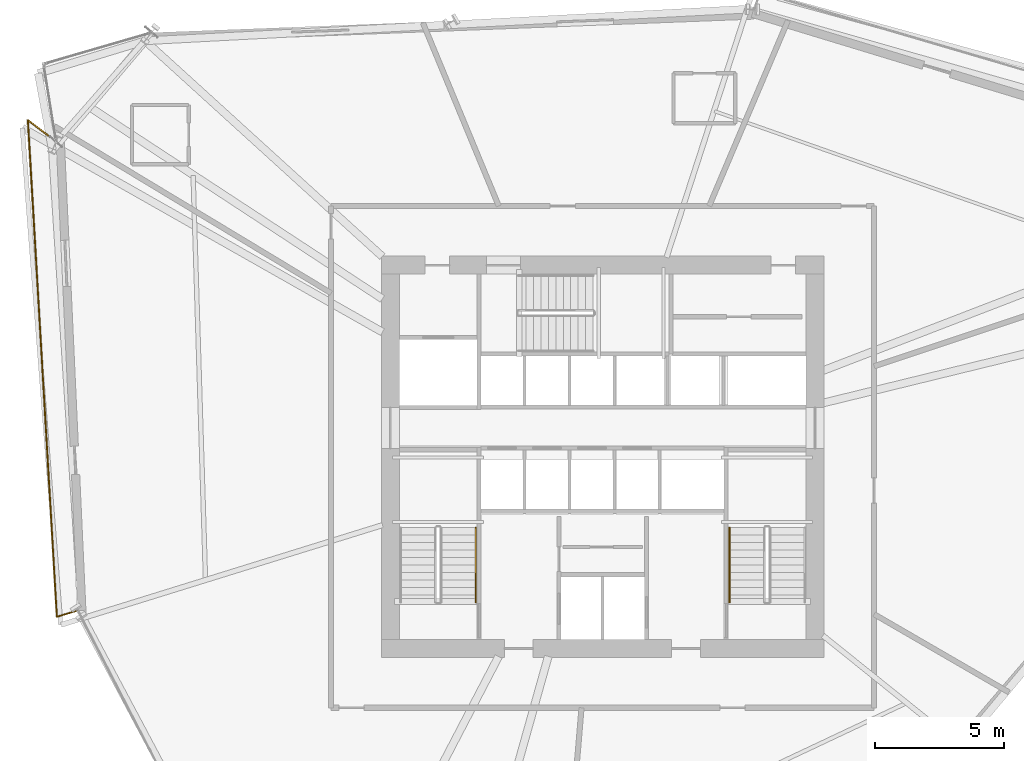
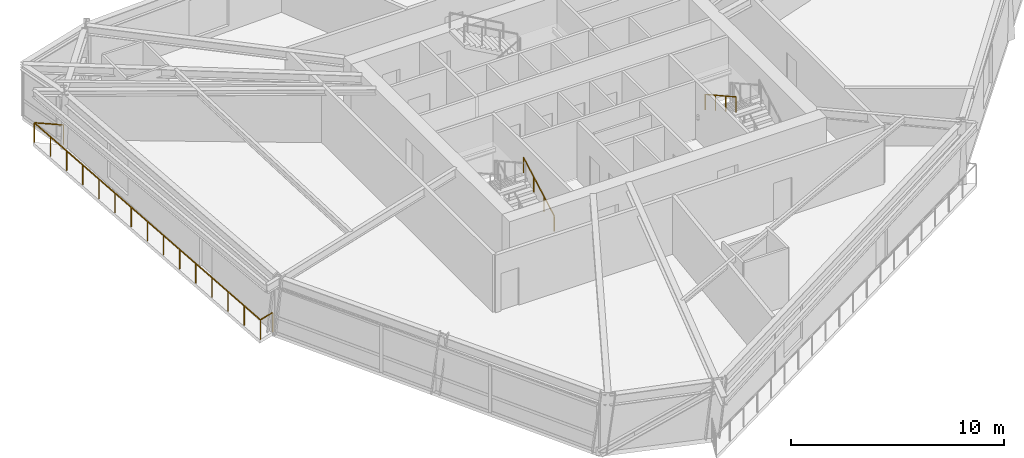
# One storey, part 17 of 19: 3 railings.
"""IFC4 building model written with IfcOpenShell, lengths in metres."""

import ifcopenshell
import ifcopenshell.guid

model = None  # the IFC model being written
_history = None  # IfcOwnerHistory: only IFC2X3 demands one
_inside = {}  # id of a spatial element -> (the spatial element, [elements in it])
_under = {}  # id of a project, library or spatial element -> (it, [spatial elements below it])
_declared = {}  # id of a project -> (the project, [libraries it declares])
_typed = {}  # id of a type object -> (the type object, [elements of that type])
_made_of = {}  # id of a material, layer set ... -> (it, [elements and type objects made of it])


def new_model(schema):
    """Start an empty IFC model of exactly this schema.

    Asked for "IFC4X3", IfcOpenShell would pick the latest addendum, in which some entities
    have other attributes; the version numbers below select the first issue.
    IFC2X3 requires an IfcOwnerHistory on every rooted entity: one is made here for all.
    """
    global model, _history
    if schema == "IFC4X3":
        model = ifcopenshell.file(schema_version=(4, 3, 0, 0))
    else:
        model = ifcopenshell.file(schema=schema)
    _inside.clear()
    _under.clear()
    _declared.clear()
    _typed.clear()
    _made_of.clear()
    _history = None
    if model.schema == "IFC2X3":
        org = make("IfcOrganization", Name="unknown")
        user = make(
            "IfcPersonAndOrganization",
            ThePerson=make("IfcPerson", FamilyName="unknown"),
            TheOrganization=org,
        )
        app = make(
            "IfcApplication",
            ApplicationDeveloper=org,
            Version="unknown",
            ApplicationFullName="unknown",
            ApplicationIdentifier="unknown",
        )
        _history = make(
            "IfcOwnerHistory",
            OwningUser=user,
            OwningApplication=app,
            ChangeAction="ADDED",
            CreationDate=0,
        )
    return model


def make(cls, **values):
    """One entity of the class cls with the attributes given. An attribute that is None is left unset."""
    return model.create_entity(
        cls, **{name: value for name, value in values.items() if value is not None}
    )


def rooted(cls, **values):
    """An entity with a GlobalId (a new one), such as an element, a storey or a relation."""
    return make(cls, GlobalId=ifcopenshell.guid.new(), OwnerHistory=_history, **values)


def si_unit(unit_type, name, prefix=None):
    """IfcSIUnit, for example si_unit("LENGTHUNIT", "METRE", prefix="MILLI")."""
    return make("IfcSIUnit", UnitType=unit_type, Prefix=prefix, Name=name)


def assignment(units):
    """IfcUnitAssignment: the units of a project."""
    return None if units is None else make("IfcUnitAssignment", Units=units)


def point(xyz):
    """IfcCartesianPoint."""
    return None if xyz is None else make("IfcCartesianPoint", Coordinates=xyz)


def direction(xyz):
    """IfcDirection."""
    return None if xyz is None else make("IfcDirection", DirectionRatios=xyz)


def frame(location, z_axis=None, x_axis=None):
    """IfcAxis2Placement3D, a coordinate frame: its origin and axes. An axis left out is left unset."""
    return make(
        "IfcAxis2Placement3D",
        Location=point(location),
        Axis=direction(z_axis),
        RefDirection=direction(x_axis),
    )


def frame_2d(location, x_axis=None):
    """IfcAxis2Placement2D, a coordinate frame in the plane: its origin and x axis."""
    return make(
        "IfcAxis2Placement2D", Location=point(location), RefDirection=direction(x_axis)
    )


def origin():
    """The frame at (0, 0, 0) with its axes left unset."""
    return frame((0.0, 0.0, 0.0))


def origin_2d():
    """The frame at (0, 0) in the plane with its x axis left unset."""
    return frame_2d((0.0, 0.0))


def place(relative_to, where):
    """IfcLocalPlacement: puts the frame where relative to a parent placement (None: the world)."""
    return make(
        "IfcLocalPlacement", PlacementRelTo=relative_to, RelativePlacement=where
    )


def context(
    kind, dimensions, precision=None, world=None, true_north=None, identifier=None
):
    """IfcGeometricRepresentationContext, for example the 3D "Model" context."""
    return make(
        "IfcGeometricRepresentationContext",
        ContextIdentifier=identifier,
        ContextType=kind,
        CoordinateSpaceDimension=dimensions,
        Precision=precision,
        WorldCoordinateSystem=world,
        TrueNorth=true_north,
    )


def subcontext(parent, identifier, kind, view, scale=None):
    """IfcGeometricRepresentationSubContext, for example "Body" below "Model"."""
    return make(
        "IfcGeometricRepresentationSubContext",
        ContextIdentifier=identifier,
        ContextType=kind,
        ParentContext=parent,
        TargetScale=scale,
        TargetView=view,
    )


def project(units=None, contexts=None):
    """IfcProject with its units and contexts."""
    return rooted(
        "IfcProject",
        Name="project",
        RepresentationContexts=contexts,
        UnitsInContext=assignment(units),
    )


def spatial(cls, under=None, at=None, **own):
    """A site, building, storey or space (cls), placed at a placement, below another one or the project."""
    s = rooted(cls, ObjectPlacement=at, **own)
    if under is not None:
        _under.setdefault(under.id(), (under, []))[1].append(s)
    return s


def profile(cls, at=None, kind="AREA", **sizes):
    """A parametric profile (cls). Its sizes go by their IFC names, for example OverallWidth=200.0."""
    return make(cls, ProfileType=kind, Position=at, **sizes)


def rectangle(**sizes):
    """IfcRectangleProfileDef."""
    return profile("IfcRectangleProfileDef", **sizes)


def extrude(swept, where, along, depth):
    """IfcExtrudedAreaSolid: the profile swept, set in the frame where, extruded along a direction by depth."""
    return make(
        "IfcExtrudedAreaSolid",
        SweptArea=swept,
        Position=where,
        ExtrudedDirection=direction(along),
        Depth=depth,
    )


def shape(context_of_items, identifier, shape_type, items):
    """IfcShapeRepresentation: the items that make up one representation, for example the "Body"."""
    return make(
        "IfcShapeRepresentation",
        ContextOfItems=context_of_items,
        RepresentationIdentifier=identifier,
        RepresentationType=shape_type,
        Items=items,
    )


def material(Name=None, Category=None):
    """IfcMaterial."""
    return make("IfcMaterial", Name=Name, Category=Category)


def made_of(thing, what):
    """Note that an element or type object is made of a material, layer set ...; save() writes the relation."""
    if what is not None:
        _made_of.setdefault(what.id(), (what, []))[1].append(thing)
    return thing


def type_object(cls, material=None, **own):
    """A type object (cls), such as IfcWallType, which elements share."""
    return made_of(rooted(cls, **own), material)


def element(
    cls,
    number,
    at=None,
    inside=None,
    cuts=None,
    type_object=None,
    material=None,
    context=None,
    identifier="Body",
    shape_type=None,
    held_by="IfcProductDefinitionShape",
    body=None,
    shapes=None,
    **own,
):
    """One element of the class cls, such as IfcWall. Its Tag is "e" and its number.

    at: its placement. inside: the storey or other place that contains it. cuts: it is an
    opening in that element (IfcRelVoidsElement). A single representation is given by context,
    identifier, shape_type and body (its items); several are given by shapes. held_by: the class
    of the entity that holds the representations. save() writes the other relations.
    """
    e = rooted(cls, Tag="e%d" % number, ObjectPlacement=at, **own)
    if body is not None:
        shapes = [shape(context, identifier, shape_type, body)]
    if shapes is not None:
        e.Representation = make(held_by, Representations=shapes)
    if inside is not None:
        _inside.setdefault(inside.id(), (inside, []))[1].append(e)
    if cuts is not None:
        rooted(
            "IfcRelVoidsElement", RelatingBuildingElement=cuts, RelatedOpeningElement=e
        )
    if type_object is not None:
        _typed.setdefault(type_object.id(), (type_object, []))[1].append(e)
    return made_of(e, material)


def aggregate(whole, parts):
    """IfcRelAggregates: a whole, such as a stair, and the parts it consists of."""
    return rooted("IfcRelAggregates", RelatingObject=whole, RelatedObjects=parts)


def save(model, path):
    """Write the relations noted so far, then the file.

    IfcRelAggregates (storeys below a building ...), IfcRelContainedInSpatialStructure (elements
    in a storey), IfcRelDefinesByType, IfcRelAssociatesMaterial and IfcRelDeclares: one each for
    every whole, place, type object, material and project.
    """
    for whole, parts in _under.values():
        aggregate(whole, parts)
    for where, things in _inside.values():
        rooted(
            "IfcRelContainedInSpatialStructure",
            RelatedElements=things,
            RelatingStructure=where,
        )
    for kind, things in _typed.values():
        rooted("IfcRelDefinesByType", RelatedObjects=things, RelatingType=kind)
    for what, things in _made_of.values():
        rooted("IfcRelAssociatesMaterial", RelatedObjects=things, RelatingMaterial=what)
    for by, libraries in _declared.values():
        rooted("IfcRelDeclares", RelatingContext=by, RelatedDefinitions=libraries)
    model.write(path)


model = new_model("IFC4")

# Units and contexts
model_context = context("Model", 3, precision=1e-05, world=origin(), true_north=direction((0.0, 1.0)))
body_context = subcontext(model_context, "Body", "Model", "MODEL_VIEW")
ifc_project = project(units=[si_unit("LENGTHUNIT", "METRE"), si_unit("AREAUNIT", "SQUARE_METRE"), si_unit("VOLUMEUNIT", "CUBIC_METRE"), si_unit("PLANEANGLEUNIT", "RADIAN"), si_unit("MASSUNIT", "GRAM", prefix="KILO")], contexts=[model_context])

# Site, building, storey
site_placement = place(None, origin())
site = spatial("IfcSite", under=ifc_project, at=site_placement, CompositionType="ELEMENT")
building_placement = place(site_placement, origin())
building = spatial("IfcBuilding", under=site, at=building_placement, Name="Olszyna Solenne Hotel", CompositionType="ELEMENT")
storey_placement = place(building_placement, frame((0.0, 0.0, 102.14990234375)))
storey = spatial("IfcBuildingStorey", under=building, at=storey_placement, Name="L26", CompositionType="ELEMENT", Elevation=102.14990234375)

# Railings
ifc_material_1 = material(Name="Anodised bronze aluminium", Category="aluminium")
railing_type_1 = type_object("IfcRailingType", Name="GR-110", PredefinedType="BALUSTRADE", material=ifc_material_1)
railing_1_placement = place(storey_placement, frame((16.76416015625, 38.85302734375, 0.0)))
element("IfcRailing", 1, at=railing_1_placement, inside=storey, type_object=railing_type_1, Name="Loggia balcony balustrade guard GR-L26-LG2", PredefinedType="BALUSTRADE", context=body_context, shape_type="SweptSolid", body=[
    extrude(rectangle(XDim=0.048095703125, YDim=0.048095703125, at=origin_2d()), frame((0.0, 0.0, 1.1259765625), z_axis=(-0.796203124244, 0.60502940833, 0.0), x_axis=(-0.60502940833, -0.796203124244, 0.0)), (0.0, 0.0, 1.0), 1.379150390625),
    extrude(rectangle(XDim=0.048095703125, YDim=0.048095703125, at=origin_2d()), frame((-1.09814453125, 0.83447265625, 1.1259765625), z_axis=(0.058228255327, -0.998303295738, 0.0), x_axis=(0.998303295738, 0.058228255327, 0.0)), (0.0, 0.0, 1.0), 19.3330078125),
    extrude(rectangle(XDim=0.048095703125, YDim=0.048095703125, at=origin_2d()), frame((0.027587890625, -18.4658203125, 1.1259765625), z_axis=(0.958143421636, 0.286288636826, 0.0), x_axis=(-0.286288636826, 0.958143421636, 0.0)), (0.0, 0.0, 1.0), 0.845947265625),
    extrude(rectangle(XDim=0.0419921875, YDim=0.0419921875, at=origin_2d()), origin(), (0.0, 0.0, 1.0), 1.101806640625),
    extrude(rectangle(XDim=0.0419921875, YDim=0.0419921875, at=origin_2d()), frame((-1.09814453125, 0.83447265625, 0.0)), (0.0, 0.0, 1.0), 1.101806640625),
    extrude(rectangle(XDim=0.0419921875, YDim=0.0419921875, at=origin_2d()), frame((-1.017822265625, -0.544189453125, 0.0)), (0.0, 0.0, 1.0), 1.101806640625),
    extrude(rectangle(XDim=0.0419921875, YDim=0.0419921875, at=origin_2d()), frame((-0.937255859375, -1.922607421875, 0.0)), (0.0, 0.0, 1.0), 1.101806640625),
    extrude(rectangle(XDim=0.0419921875, YDim=0.0419921875, at=origin_2d()), frame((-0.85693359375, -3.30126953125, 0.0)), (0.0, 0.0, 1.0), 1.101806640625),
    extrude(rectangle(XDim=0.0419921875, YDim=0.0419921875, at=origin_2d()), frame((-0.776611328125, -4.679931640625, 0.0)), (0.0, 0.0, 1.0), 1.101806640625),
    extrude(rectangle(XDim=0.0419921875, YDim=0.0419921875, at=origin_2d()), frame((-0.696044921875, -6.05859375, 0.0)), (0.0, 0.0, 1.0), 1.101806640625),
    extrude(rectangle(XDim=0.0419921875, YDim=0.0419921875, at=origin_2d()), frame((-0.61572265625, -7.43701171875, 0.0)), (0.0, 0.0, 1.0), 1.101806640625),
    extrude(rectangle(XDim=0.0419921875, YDim=0.0419921875, at=origin_2d()), frame((-0.53515625, -8.815673828125, 0.0)), (0.0, 0.0, 1.0), 1.101806640625),
    extrude(rectangle(XDim=0.0419921875, YDim=0.0419921875, at=origin_2d()), frame((-0.454833984375, -10.1943359375, 0.0)), (0.0, 0.0, 1.0), 1.101806640625),
    extrude(rectangle(XDim=0.0419921875, YDim=0.0419921875, at=origin_2d()), frame((-0.37451171875, -11.57275390625, 0.0)), (0.0, 0.0, 1.0), 1.101806640625),
    extrude(rectangle(XDim=0.0419921875, YDim=0.0419921875, at=origin_2d()), frame((-0.2939453125, -12.951416015625, 0.0)), (0.0, 0.0, 1.0), 1.101806640625),
    extrude(rectangle(XDim=0.0419921875, YDim=0.0419921875, at=origin_2d()), frame((-0.213623046875, -14.330078125, 0.0)), (0.0, 0.0, 1.0), 1.101806640625),
    extrude(rectangle(XDim=0.0419921875, YDim=0.0419921875, at=origin_2d()), frame((-0.13330078125, -15.708740234375, 0.0)), (0.0, 0.0, 1.0), 1.101806640625),
    extrude(rectangle(XDim=0.0419921875, YDim=0.0419921875, at=origin_2d()), frame((-0.052734375, -17.087158203125, 0.0)), (0.0, 0.0, 1.0), 1.101806640625),
    extrude(rectangle(XDim=0.0419921875, YDim=0.0419921875, at=origin_2d()), frame((0.027587890625, -18.4658203125, 0.0)), (0.0, 0.0, 1.0), 1.101806640625),
    extrude(rectangle(XDim=0.0419921875, YDim=0.0419921875, at=origin_2d()), frame((0.838134765625, -18.2236328125, 0.0)), (0.0, 0.0, 1.0), 1.101806640625),
])
ifc_material_2 = material(Name="Steel S355J2", Category="steel")
railing_type_2 = type_object("IfcRailingType", Name="HR-090", PredefinedType="HANDRAIL", material=ifc_material_2)
railing_2_placement = place(storey_placement, frame((33.070068359375, 20.949951171875, 0.161376953125)))
element("IfcRailing", 2, at=railing_2_placement, inside=storey, type_object=railing_type_2, Name="L26 ST1 stair handrail 1", PredefinedType="HANDRAIL", context=body_context, shape_type="SweptSolid", body=[
    extrude(rectangle(XDim=0.048095703125, YDim=0.048095703125, at=origin_2d()), frame((0.0, 0.0, 0.8759765625), z_axis=(0.0, 0.873827439584, 0.48623616261), x_axis=(-1.0, 0.0, 0.0)), (0.0, 0.0, 1.0), 3.31884765625),
    extrude(rectangle(XDim=0.0419921875, YDim=0.0419921875, at=origin_2d()), origin(), (0.0, 0.0, 1.0), 0.851806640625),
    extrude(rectangle(XDim=0.0419921875, YDim=0.0419921875, at=origin_2d()), frame((0.0, 0.966796875, 0.537841796875)), (0.0, 0.0, 1.0), 0.851806640625),
    extrude(rectangle(XDim=0.0419921875, YDim=0.0419921875, at=origin_2d()), frame((0.0, 1.933349609375, 1.075927734375)), (0.0, 0.0, 1.0), 0.851806640625),
    extrude(rectangle(XDim=0.0419921875, YDim=0.0419921875, at=origin_2d()), frame((0.0, 2.900146484375, 1.61376953125)), (0.0, 0.0, 1.0), 0.851806640625),
])
railing_3_placement = place(storey_placement, frame((42.929931640625, 23.85009765625, 1.9365234375)))
element("IfcRailing", 3, at=railing_3_placement, inside=storey, type_object=railing_type_2, Name="L26 ST2 stair handrail 2", PredefinedType="HANDRAIL", context=body_context, shape_type="SweptSolid", body=[
    extrude(rectangle(XDim=0.048095703125, YDim=0.048095703125, at=origin_2d()), frame((0.0, 0.0, 0.8759765625), z_axis=(0.0, -0.873858693841, 0.486179990537), x_axis=(1.0, 0.0, 0.0)), (0.0, 0.0, 1.0), 3.31884765625),
    extrude(rectangle(XDim=0.0419921875, YDim=0.0419921875, at=origin_2d()), origin(), (0.0, 0.0, 1.0), 0.851806640625),
    extrude(rectangle(XDim=0.0419921875, YDim=0.0419921875, at=origin_2d()), frame((0.0, -0.966796875, 0.537841796875)), (0.0, 0.0, 1.0), 0.851806640625),
    extrude(rectangle(XDim=0.0419921875, YDim=0.0419921875, at=origin_2d()), frame((0.0, -1.933349609375, 1.07568359375)), (0.0, 0.0, 1.0), 0.851806640625),
    extrude(rectangle(XDim=0.0419921875, YDim=0.0419921875, at=origin_2d()), frame((0.0, -2.900146484375, 1.613525390625)), (0.0, 0.0, 1.0), 0.851806640625),
])

save(model, "model.ifc")
